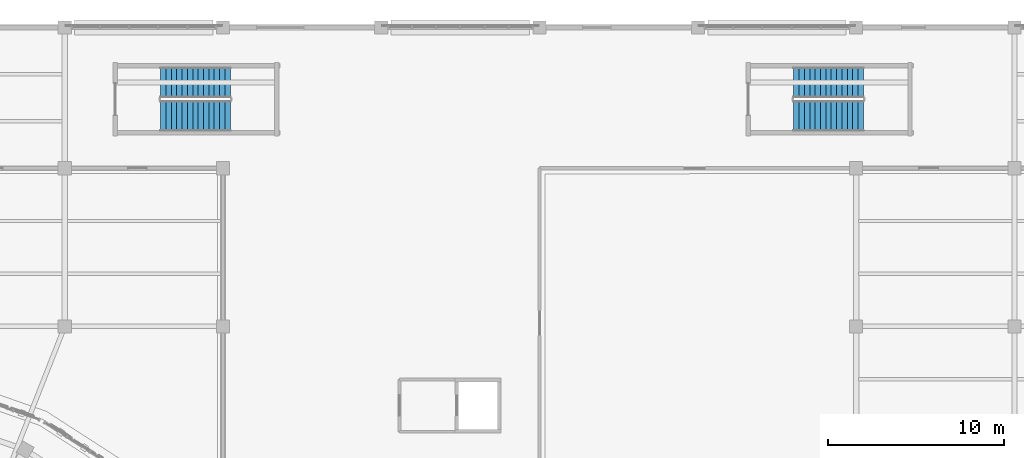
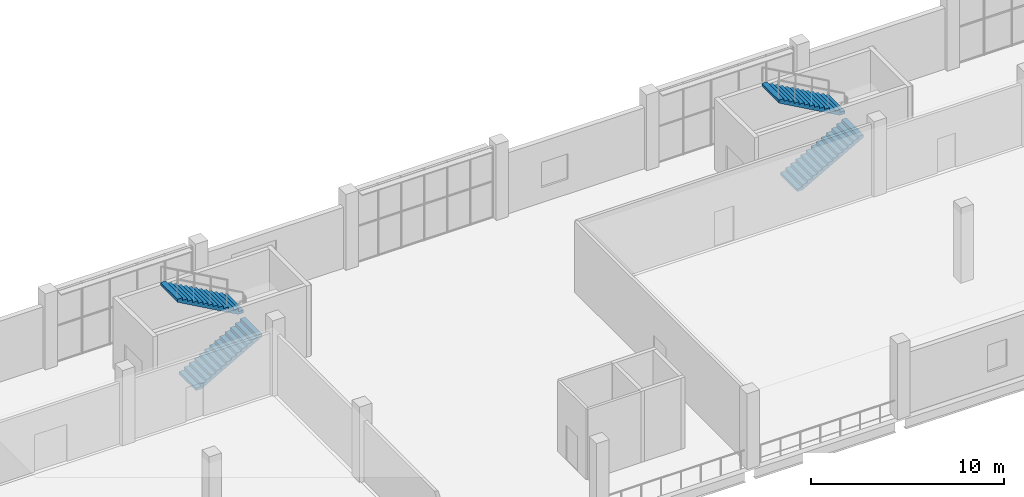
# One storey, part 118 of 179: 4 stair flights, 2 elements without a shape of their own.
"""IFC4 building model written with IfcOpenShell, lengths in metres."""

from ifc_helpers import new_model, si_unit, direction, frame, origin, place, context, subcontext, project, spatial, polyline, outline, extrude, material, type_object, element, aggregate, save


model = new_model("IFC4")

# Units and contexts
model_context = context("Model", 3, precision=1e-05, world=origin(), true_north=direction((0.0, 1.0)))
body_context = subcontext(model_context, "Body", "Model", "MODEL_VIEW")
ifc_project = project(units=[si_unit("LENGTHUNIT", "METRE"), si_unit("AREAUNIT", "SQUARE_METRE"), si_unit("VOLUMEUNIT", "CUBIC_METRE"), si_unit("PLANEANGLEUNIT", "RADIAN"), si_unit("MASSUNIT", "GRAM", prefix="KILO")], contexts=[model_context])

# Site, building, storey
site_placement = place(None, origin())
site = spatial("IfcSite", under=ifc_project, at=site_placement, CompositionType="ELEMENT")
building_placement = place(site_placement, origin())
building = spatial("IfcBuilding", under=site, at=building_placement, Name="Zevraka Park Crest Stadium", CompositionType="ELEMENT")
storey_placement = place(building_placement, frame((0.0, 0.0, 10.199951171875)))
storey = spatial("IfcBuildingStorey", under=building, at=storey_placement, Name="L02", CompositionType="ELEMENT", Elevation=10.199951171875)

# Stair, stair flights
ifc_material_1 = material(Name="Concrete C35/45", Category="concrete")
stair_type = type_object("IfcStairType", Name="STC2", PredefinedType="HALF_TURN_STAIR", material=ifc_material_1)
stair_1_placement = place(storey_placement, origin())
stair_1 = element("IfcStair", 1, at=stair_1_placement, inside=storey, type_object=stair_type, Name="L02 North Gate Pavilion East Stair ST45", PredefinedType="HALF_TURN_STAIR")
ifc_material_2 = material(Name="Concrete C35/45", Category="concrete")
stair_flight_type = type_object("IfcStairFlightType", Name="FLC2", PredefinedType="STRAIGHT", material=ifc_material_2)
stair_flight_1_placement = place(storey_placement, frame((202.449951171875, 178.965087890625, 0.0), z_axis=(0.0, 0.0, 1.0), x_axis=(1.0, 0.0, 0.0)))
stair_flight_1 = element("IfcStairFlight", 2, at=stair_flight_1_placement, type_object=stair_flight_type, Name="ST45 flight 1", NumberOfRisers=14, NumberOfTreads=13, PredefinedType="STRAIGHT", RiserHeight=0.171428571, TreadLength=0.305, context=body_context, shape_type="SweptSolid", body=[
    extrude(outline(polyline([(0.0, 0.0), (0.0, 0.17138671875), (0.304931640625, 0.17138671875), (0.304931640625, 0.3427734375), (0.610107421875, 0.3427734375), (0.610107421875, 0.514404296875), (0.9150390625, 0.514404296875), (0.9150390625, 0.685791015625), (1.219970703125, 0.685791015625), (1.219970703125, 0.857177734375), (1.52490234375, 0.857177734375), (1.52490234375, 1.028564453125), (1.830078125, 1.028564453125), (1.830078125, 1.199951171875), (2.135009765625, 1.199951171875), (2.135009765625, 1.371337890625), (2.43994140625, 1.371337890625), (2.43994140625, 1.54296875), (2.7451171875, 1.54296875), (2.7451171875, 1.71435546875), (3.050048828125, 1.71435546875), (3.050048828125, 1.8857421875), (3.35498046875, 1.8857421875), (3.35498046875, 2.05712890625), (3.659912109375, 2.05712890625), (3.659912109375, 2.228515625), (3.965087890625, 2.228515625), (3.965087890625, 2.39990234375), (3.965087890625, 2.045166015625), (0.326416015625, 0.0), (0.0, 0.0)])), frame((0.0, 0.875, 0.0), z_axis=(0.0, -1.0, 0.0), x_axis=(1.0, 0.0, 0.0)), (0.0, 0.0, 1.0), 1.75),
])
stair_flight_2_placement = place(storey_placement, frame((206.4150390625, 180.875, 2.400146484375), z_axis=(0.0, 0.0, 1.0), x_axis=(-1.0, 0.0, 0.0)))
stair_flight_2 = element("IfcStairFlight", 3, at=stair_flight_2_placement, type_object=stair_flight_type, Name="ST45 flight 2", NumberOfRisers=14, NumberOfTreads=13, PredefinedType="STRAIGHT", RiserHeight=0.171428571, TreadLength=0.305, context=body_context, shape_type="SweptSolid", body=[
    extrude(outline(polyline([(0.0, 0.0), (0.0, 0.17138671875), (0.304931640625, 0.17138671875), (0.304931640625, 0.3427734375), (0.610107421875, 0.3427734375), (0.610107421875, 0.514404296875), (0.9150390625, 0.514404296875), (0.9150390625, 0.685791015625), (1.219970703125, 0.685791015625), (1.219970703125, 0.857177734375), (1.52490234375, 0.857177734375), (1.52490234375, 1.028564453125), (1.830078125, 1.028564453125), (1.830078125, 1.199951171875), (2.135009765625, 1.199951171875), (2.135009765625, 1.371337890625), (2.43994140625, 1.371337890625), (2.43994140625, 1.54296875), (2.7451171875, 1.54296875), (2.7451171875, 1.71435546875), (3.050048828125, 1.71435546875), (3.050048828125, 1.8857421875), (3.35498046875, 1.8857421875), (3.35498046875, 2.05712890625), (3.659912109375, 2.05712890625), (3.659912109375, 2.228515625), (3.965087890625, 2.228515625), (3.965087890625, 2.39990234375), (3.965087890625, 2.045166015625), (0.326416015625, 0.0), (0.0, 0.0)])), frame((0.0, 0.875, 0.0), z_axis=(0.0, -1.0, 0.0), x_axis=(1.0, 0.0, 0.0)), (0.0, 0.0, 1.0), 1.75),
])
aggregate(stair_1, [stair_flight_1, stair_flight_2])

stair_2_placement = place(storey_placement, origin())
stair_2 = element("IfcStair", 4, at=stair_2_placement, inside=storey, type_object=stair_type, Name="L02 North Gate Pavilion West Stair ST46", PredefinedType="HALF_TURN_STAIR")
stair_flight_3_placement = place(storey_placement, frame((166.449951171875, 178.965087890625, 0.0), z_axis=(0.0, 0.0, 1.0), x_axis=(1.0, 0.0, 0.0)))
stair_flight_3 = element("IfcStairFlight", 5, at=stair_flight_3_placement, type_object=stair_flight_type, Name="ST46 flight 1", NumberOfRisers=14, NumberOfTreads=13, PredefinedType="STRAIGHT", RiserHeight=0.171428571, TreadLength=0.305, context=body_context, shape_type="SweptSolid", body=[
    extrude(outline(polyline([(0.0, 0.0), (0.0, 0.17138671875), (0.304931640625, 0.17138671875), (0.304931640625, 0.3427734375), (0.610107421875, 0.3427734375), (0.610107421875, 0.514404296875), (0.9150390625, 0.514404296875), (0.9150390625, 0.685791015625), (1.219970703125, 0.685791015625), (1.219970703125, 0.857177734375), (1.52490234375, 0.857177734375), (1.52490234375, 1.028564453125), (1.830078125, 1.028564453125), (1.830078125, 1.199951171875), (2.135009765625, 1.199951171875), (2.135009765625, 1.371337890625), (2.43994140625, 1.371337890625), (2.43994140625, 1.54296875), (2.7451171875, 1.54296875), (2.7451171875, 1.71435546875), (3.050048828125, 1.71435546875), (3.050048828125, 1.8857421875), (3.35498046875, 1.8857421875), (3.35498046875, 2.05712890625), (3.659912109375, 2.05712890625), (3.659912109375, 2.228515625), (3.965087890625, 2.228515625), (3.965087890625, 2.39990234375), (3.965087890625, 2.045166015625), (0.326416015625, 0.0), (0.0, 0.0)])), frame((0.0, 0.875, 0.0), z_axis=(0.0, -1.0, 0.0), x_axis=(1.0, 0.0, 0.0)), (0.0, 0.0, 1.0), 1.75),
])
stair_flight_4_placement = place(storey_placement, frame((170.4150390625, 180.875, 2.400146484375), z_axis=(0.0, 0.0, 1.0), x_axis=(-1.0, 0.0, 0.0)))
stair_flight_4 = element("IfcStairFlight", 6, at=stair_flight_4_placement, type_object=stair_flight_type, Name="ST46 flight 2", NumberOfRisers=14, NumberOfTreads=13, PredefinedType="STRAIGHT", RiserHeight=0.171428571, TreadLength=0.305, context=body_context, shape_type="SweptSolid", body=[
    extrude(outline(polyline([(0.0, 0.0), (0.0, 0.17138671875), (0.304931640625, 0.17138671875), (0.304931640625, 0.3427734375), (0.610107421875, 0.3427734375), (0.610107421875, 0.514404296875), (0.9150390625, 0.514404296875), (0.9150390625, 0.685791015625), (1.219970703125, 0.685791015625), (1.219970703125, 0.857177734375), (1.52490234375, 0.857177734375), (1.52490234375, 1.028564453125), (1.830078125, 1.028564453125), (1.830078125, 1.199951171875), (2.135009765625, 1.199951171875), (2.135009765625, 1.371337890625), (2.43994140625, 1.371337890625), (2.43994140625, 1.54296875), (2.7451171875, 1.54296875), (2.7451171875, 1.71435546875), (3.050048828125, 1.71435546875), (3.050048828125, 1.8857421875), (3.35498046875, 1.8857421875), (3.35498046875, 2.05712890625), (3.659912109375, 2.05712890625), (3.659912109375, 2.228515625), (3.965087890625, 2.228515625), (3.965087890625, 2.39990234375), (3.965087890625, 2.045166015625), (0.326416015625, 0.0), (0.0, 0.0)])), frame((0.0, 0.875, 0.0), z_axis=(0.0, -1.0, 0.0), x_axis=(1.0, 0.0, 0.0)), (0.0, 0.0, 1.0), 1.75),
])
aggregate(stair_2, [stair_flight_3, stair_flight_4])

save(model, "model.ifc")
